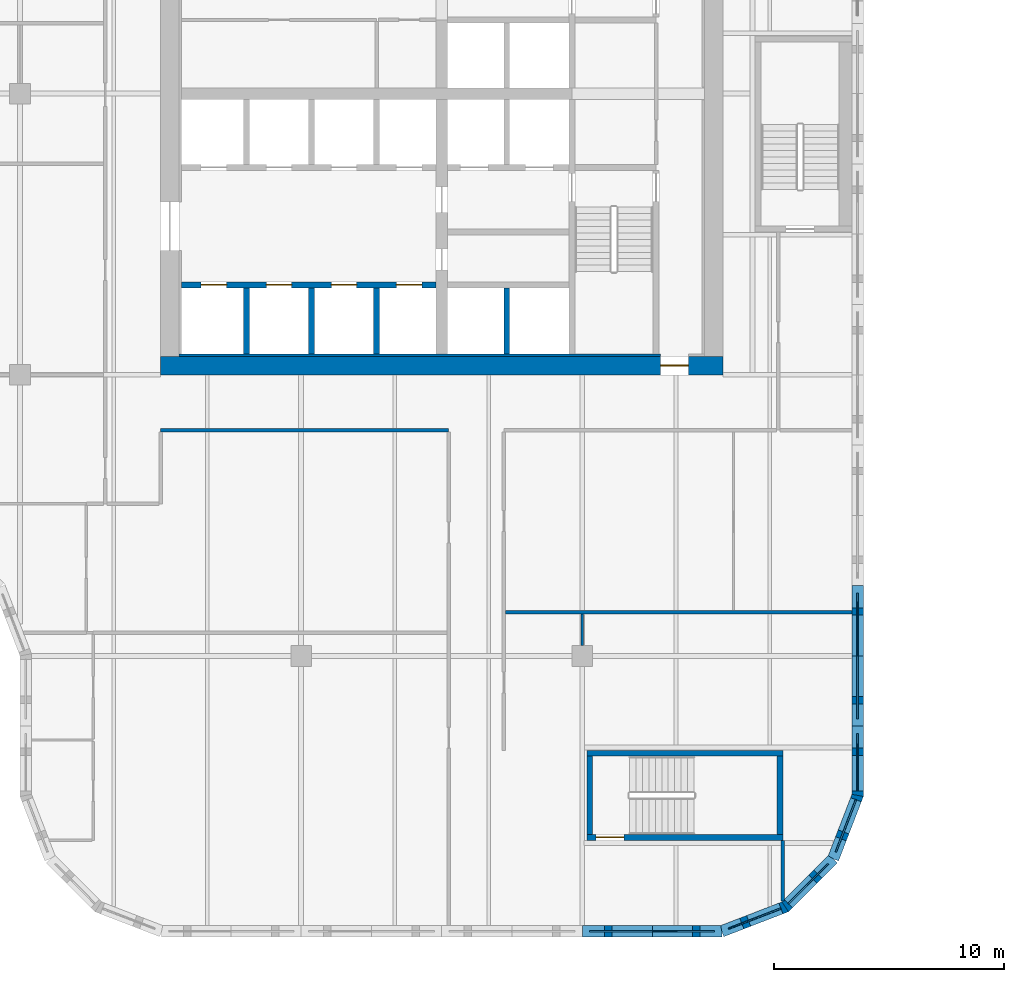
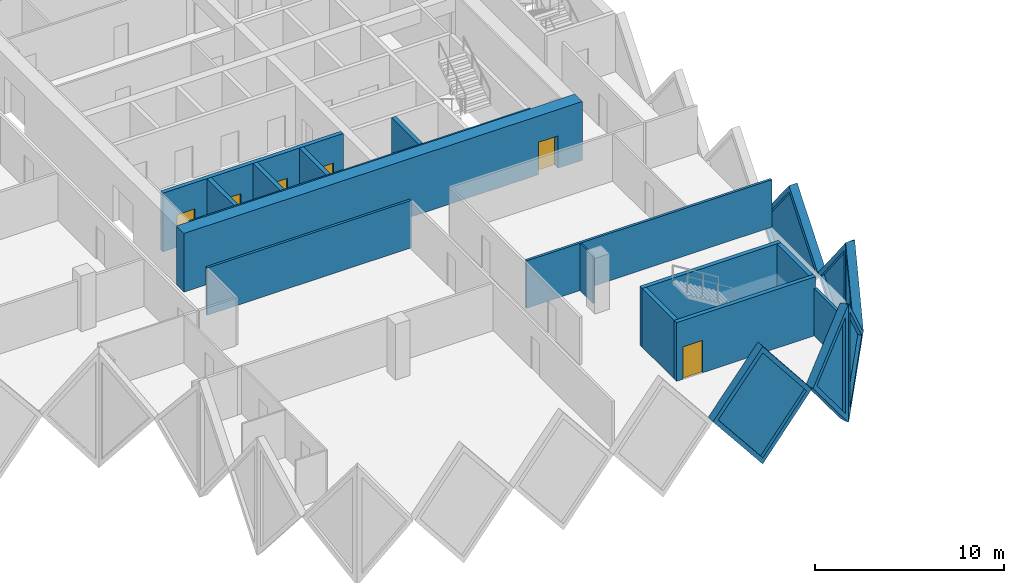
# One storey, part 6 of 18: 21 walls, 6 doors, 6 plates, 12 openings.
"""IFC4 building model written with IfcOpenShell, lengths in metres."""

from ifc_helpers import new_model, si_unit, direction, frame, frame_2d, origin, place, context, subcontext, project, spatial, polyline, rectangle, outline, extrude, faceted_brep, source, transform, mapped, material, layer, layer_set, type_object, element, fill, save


model = new_model("IFC4")

# Units and contexts
model_context = context("Model", 3, precision=1e-05, world=origin(), true_north=direction((0.0, 1.0)))
body_context = subcontext(model_context, "Body", "Model", "MODEL_VIEW")
ifc_project = project(units=[si_unit("LENGTHUNIT", "METRE"), si_unit("AREAUNIT", "SQUARE_METRE"), si_unit("VOLUMEUNIT", "CUBIC_METRE"), si_unit("PLANEANGLEUNIT", "RADIAN"), si_unit("MASSUNIT", "GRAM", prefix="KILO")], contexts=[model_context])

# Site, building, storey
site_placement = place(None, origin())
site = spatial("IfcSite", under=ifc_project, at=site_placement, CompositionType="ELEMENT")
building_placement = place(site_placement, origin())
building = spatial("IfcBuilding", under=site, at=building_placement, Name="Tessera Gate Towers", CompositionType="ELEMENT")
storey_placement = place(building_placement, frame((0.0, 0.0, 95.199951171875)))
storey = spatial("IfcBuildingStorey", under=building, at=storey_placement, Name="L23", CompositionType="ELEMENT", Elevation=95.199951171875)

# Wall, openings, doors
ifc_material_1 = material(Name="Concrete C40/50", Category="concrete")
ifc_layer_1 = layer(ifc_material_1, 0.25)
ifc_layer_set_1 = layer_set([ifc_layer_1], Name="CORE ENCLOSURE WALL 250")
wall_type_1 = type_object("IfcWallType", Name="CORE ENCLOSURE WALL 250", PredefinedType="SOLIDWALL", material=ifc_layer_set_1)
wall_1_placement = place(storey_placement, frame((31.39990234375, 28.300048828125, 0.0), z_axis=(0.0, 0.0, 1.0), x_axis=(1.0, 0.0, 0.0)))
wall_1 = element("IfcWall", 1, at=wall_1_placement, inside=storey, type_object=wall_type_1, Name="L23 shaft and stair enclosure wall", PredefinedType="SOLIDWALL", context=body_context, shape_type="SweptSolid", body=[
    extrude(rectangle(XDim=11.050048828125, YDim=0.25, at=frame_2d((5.52490234375, 0.0))), origin(), (0.0, 0.0, 1.0), 3.800048828125),
])
shared_shape_1 = source(origin(), body_context, "Body", "SweptSolid", [
    extrude(rectangle(XDim=1.10009765625, YDim=2.10009765625, at=frame_2d((0.550048828125, 1.050048828125))), frame((0.0, 0.135009765625, 0.0), z_axis=(0.0, -1.0, 0.0), x_axis=(1.0, 0.0, 0.0)), (0.0, 0.0, 1.0), 0.27001953125),
])
opening_1_placement = place(wall_1_placement, frame((0.862548828125, 0.0, 0.0)))
opening_1 = element("IfcOpeningElement", 2, at=opening_1_placement, cuts=wall_1, Name="Opening LD-LR1", PredefinedType="OPENING", context=body_context, shape_type="MappedRepresentation", body=[
    mapped(shared_shape_1, transform((0.0, 0.0, 0.0), scale=1.0)),
])
opening_2_placement = place(wall_1_placement, frame((3.6875, 0.0, 0.0)))
opening_2 = element("IfcOpeningElement", 3, at=opening_2_placement, cuts=wall_1, Name="Opening LD-LR2", PredefinedType="OPENING", context=body_context, shape_type="MappedRepresentation", body=[
    mapped(shared_shape_1, transform((0.0, 0.0, 0.0), scale=1.0)),
])
opening_3_placement = place(wall_1_placement, frame((6.512451171875, 0.0, 0.0)))
opening_3 = element("IfcOpeningElement", 4, at=opening_3_placement, cuts=wall_1, Name="Opening LD-LR3", PredefinedType="OPENING", context=body_context, shape_type="MappedRepresentation", body=[
    mapped(shared_shape_1, transform((0.0, 0.0, 0.0), scale=1.0)),
])
opening_4_placement = place(wall_1_placement, frame((9.33740234375, 0.0, 0.0)))
opening_4 = element("IfcOpeningElement", 5, at=opening_4_placement, cuts=wall_1, Name="Opening LD-LR4", PredefinedType="OPENING", context=body_context, shape_type="MappedRepresentation", body=[
    mapped(shared_shape_1, transform((0.0, 0.0, 0.0), scale=1.0)),
])
ifc_material_2 = material(Name="Stainless steel", Category="steel")
door_type_1 = type_object("IfcDoorType", Name="CORE DOOR LD 1100x2100", OperationType="DOUBLE_DOOR_SLIDING", PredefinedType="DOOR", material=ifc_material_2)
shared_shape_2 = source(origin(), body_context, "Body", "SweptSolid", [
    extrude(rectangle(XDim=1.10009765625, YDim=2.10009765625, at=frame_2d((0.550048828125, 1.050048828125))), frame((0.0, 0.02490234375, 0.0), z_axis=(0.0, -1.0, 0.0), x_axis=(1.0, 0.0, 0.0)), (0.0, 0.0, 1.0), 0.050048828125),
])
door_1_placement = place(opening_1_placement, origin())
door_1 = element("IfcDoor", 6, at=door_1_placement, inside=storey, type_object=door_type_1, Name="Landing door LR1 L23", OperationType="DOUBLE_DOOR_SLIDING", OverallHeight=2.10009765625, OverallWidth=1.10009765625, PredefinedType="DOOR", context=body_context, shape_type="MappedRepresentation", body=[
    mapped(shared_shape_2, transform((0.0, 0.0, 0.0), scale=1.0)),
])
fill(opening_1, door_1)
door_2_placement = place(opening_2_placement, origin())
door_2 = element("IfcDoor", 7, at=door_2_placement, inside=storey, type_object=door_type_1, Name="Landing door LR2 L23", OperationType="DOUBLE_DOOR_SLIDING", OverallHeight=2.10009765625, OverallWidth=1.10009765625, PredefinedType="DOOR", context=body_context, shape_type="MappedRepresentation", body=[
    mapped(shared_shape_2, transform((0.0, 0.0, 0.0), scale=1.0)),
])
fill(opening_2, door_2)
door_3_placement = place(opening_3_placement, origin())
door_3 = element("IfcDoor", 8, at=door_3_placement, inside=storey, type_object=door_type_1, Name="Landing door LR3 L23", OperationType="DOUBLE_DOOR_SLIDING", OverallHeight=2.10009765625, OverallWidth=1.10009765625, PredefinedType="DOOR", context=body_context, shape_type="MappedRepresentation", body=[
    mapped(shared_shape_2, transform((0.0, 0.0, 0.0), scale=1.0)),
])
fill(opening_3, door_3)
door_4_placement = place(opening_4_placement, origin())
door_4 = element("IfcDoor", 9, at=door_4_placement, inside=storey, type_object=door_type_1, Name="Landing door LR4 L23", OperationType="DOUBLE_DOOR_SLIDING", OverallHeight=2.10009765625, OverallWidth=1.10009765625, PredefinedType="DOOR", context=body_context, shape_type="MappedRepresentation", body=[
    mapped(shared_shape_2, transform((0.0, 0.0, 0.0), scale=1.0)),
])
fill(opening_4, door_4)

# Walls
for number, where, z_axis, x_axis, name in (
    (10, (34.22509765625, 25.300048828125, 0.0), (0.0, 0.0, 1.0), (0.0, 1.0, 0.0), "L23 shaft and stair enclosure wall"),
    (11, (37.050048828125, 25.300048828125, 0.0), (0.0, 0.0, 1.0), (0.0, 1.0, 0.0), "L23 shaft and stair enclosure wall"),
    (12, (39.875, 25.300048828125, 0.0), (0.0, 0.0, 1.0), (0.0, 1.0, 0.0), "L23 shaft and stair enclosure wall"),
    (13, (45.52490234375, 25.300048828125, 0.0), (0.0, 0.0, 1.0), (0.0, 1.0, 0.0), "L23 shaft and stair enclosure wall"),
):
    element("IfcWall", number, at=place(storey_placement, frame(where, z_axis=z_axis, x_axis=x_axis)), inside=storey, type_object=wall_type_1, Name=name, PredefinedType="SOLIDWALL", context=body_context, shape_type="SweptSolid", body=[
        extrude(rectangle(XDim=2.875, YDim=0.25, at=frame_2d((1.4375, 0.0))), origin(), (0.0, 0.0, 1.0), 3.800048828125),
    ])

# Wall, opening, door
wall_2_placement = place(storey_placement, frame((57.5, 4.324951171875, 0.0), z_axis=(0.0, 0.0, 1.0), x_axis=(-1.0, 0.0, 0.0)))
wall_2 = element("IfcWall", 14, at=wall_2_placement, inside=storey, type_object=wall_type_1, Name="L23 ST4 enclosure wall", PredefinedType="SOLIDWALL", context=body_context, shape_type="SweptSolid", body=[
    extrude(rectangle(XDim=8.5, YDim=0.25, at=frame_2d((4.25, 0.0))), origin(), (0.0, 0.0, 1.0), 3.800048828125),
])
shared_shape_3 = source(origin(), body_context, "Body", "SweptSolid", [
    extrude(rectangle(XDim=1.199951171875, YDim=2.10009765625, at=frame_2d((0.60009765625, 1.050048828125))), frame((0.0, 0.135009765625, 0.0), z_axis=(0.0, -1.0, 0.0), x_axis=(1.0, 0.0, 0.0)), (0.0, 0.0, 1.0), 0.27001953125),
])
opening_5_placement = place(wall_2_placement, frame((6.89990234375, 0.0, 0.0)))
opening_5 = element("IfcOpeningElement", 15, at=opening_5_placement, cuts=wall_2, Name="Opening SD-ST4-1", PredefinedType="OPENING", context=body_context, shape_type="MappedRepresentation", body=[
    mapped(shared_shape_3, transform((0.0, 0.0, 0.0), scale=1.0)),
])
ifc_material_3 = material(Name="Hollow steel fire door", Category="steel")
door_type_2 = type_object("IfcDoorType", Name="CORE DOOR SD 1200x2100", OperationType="NOTDEFINED", PredefinedType="DOOR", material=ifc_material_3)
shared_shape_4 = source(origin(), body_context, "Body", "SweptSolid", [
    extrude(rectangle(XDim=1.199951171875, YDim=2.10009765625, at=frame_2d((0.60009765625, 1.050048828125))), frame((0.0, 0.02490234375, 0.0), z_axis=(0.0, -1.0, 0.0), x_axis=(1.0, 0.0, 0.0)), (0.0, 0.0, 1.0), 0.050048828125),
])
door_5_placement = place(opening_5_placement, origin())
door_5 = element("IfcDoor", 16, at=door_5_placement, inside=storey, type_object=door_type_2, Name="Stair door", OperationType="SINGLE_SWING_RIGHT", OverallHeight=2.10009765625, OverallWidth=1.199951171875, PredefinedType="DOOR", context=body_context, shape_type="MappedRepresentation", body=[
    mapped(shared_shape_4, transform((0.0, 0.0, 0.0), scale=1.0)),
])
fill(opening_5, door_5)

# Walls
wall_3_placement = place(storey_placement, frame((49.125, 4.449951171875, 0.0), z_axis=(0.0, 0.0, 1.0), x_axis=(0.0, 1.0, 0.0)))
element("IfcWall", 17, at=wall_3_placement, inside=storey, type_object=wall_type_1, Name="L23 ST4 enclosure wall", PredefinedType="SOLIDWALL", context=body_context, shape_type="SweptSolid", body=[
    extrude(rectangle(XDim=3.400146484375, YDim=0.25, at=frame_2d((1.7001953125, 0.0))), origin(), (0.0, 0.0, 1.0), 3.800048828125),
])
wall_4_placement = place(storey_placement, frame((49.0, 7.97509765625, 0.0), z_axis=(0.0, 0.0, 1.0), x_axis=(1.0, 0.0, 0.0)))
element("IfcWall", 18, at=wall_4_placement, inside=storey, type_object=wall_type_1, Name="L23 ST4 enclosure wall", PredefinedType="SOLIDWALL", context=body_context, shape_type="SweptSolid", body=[
    extrude(rectangle(XDim=8.5, YDim=0.25, at=frame_2d((4.25, 0.0))), origin(), (0.0, 0.0, 1.0), 3.800048828125),
])
wall_5_placement = place(storey_placement, frame((57.375, 7.85009765625, 0.0), z_axis=(0.0, 0.0, 1.0), x_axis=(0.0, -1.0, 0.0)))
element("IfcWall", 19, at=wall_5_placement, inside=storey, type_object=wall_type_1, Name="L23 ST4 enclosure wall", PredefinedType="SOLIDWALL", context=body_context, shape_type="SweptSolid", body=[
    extrude(rectangle(XDim=3.400146484375, YDim=0.25, at=frame_2d((1.7001953125, 0.0))), origin(), (0.0, 0.0, 1.0), 3.800048828125),
])

# Wall, opening, door
ifc_material_4 = material(Name="Concrete C60/75", Category="concrete")
ifc_layer_2 = layer(ifc_material_4, 0.800048828125)
ifc_layer_set_2 = layer_set([ifc_layer_2], Name="CORE SHEAR WALL 800 C60/75")
wall_type_2 = type_object("IfcWallType", Name="CORE SHEAR WALL 800 C60/75", PredefinedType="SHEAR", material=ifc_layer_set_2)
wall_6_placement = place(storey_placement, frame((54.89990234375, 24.800048828125, 0.0), z_axis=(0.0, 0.0, 1.0), x_axis=(-1.0, 0.0, 0.0)))
wall_6 = element("IfcWall", 20, at=wall_6_placement, inside=storey, type_object=wall_type_2, Name="Core wall S L23", PredefinedType="SHEAR", context=body_context, shape_type="SweptSolid", body=[
    extrude(rectangle(XDim=24.39990234375, YDim=0.800048828125, at=frame_2d((12.199951171875, 0.0))), origin(), (0.0, 0.0, 1.0), 3.800048828125),
])
shared_shape_5 = source(origin(), body_context, "Body", "SweptSolid", [
    extrude(rectangle(XDim=1.199951171875, YDim=2.10009765625, at=frame_2d((0.60009765625, 1.050048828125))), frame((0.0, 0.409912109375, 0.0), z_axis=(0.0, -1.0, 0.0), x_axis=(1.0, 0.0, 0.0)), (0.0, 0.0, 1.0), 0.820068359375),
])
opening_6_placement = place(wall_6_placement, frame((1.5, 0.0, 0.0)))
opening_6 = element("IfcOpeningElement", 21, at=opening_6_placement, cuts=wall_6, Name="Opening ED-T1-15-01", PredefinedType="OPENING", context=body_context, shape_type="MappedRepresentation", body=[
    mapped(shared_shape_5, transform((0.0, 0.0, 0.0), scale=1.0)),
])
ifc_material_5 = material(Name="Hollow steel fire door", Category="steel")
door_type_3 = type_object("IfcDoorType", Name="CORE DOOR ED 1200x2100", OperationType="NOTDEFINED", PredefinedType="DOOR", material=ifc_material_5)
door_6_placement = place(opening_6_placement, origin())
door_6 = element("IfcDoor", 22, at=door_6_placement, inside=storey, type_object=door_type_3, Name="Core exit door", OperationType="SINGLE_SWING_LEFT", OverallHeight=2.10009765625, OverallWidth=1.199951171875, PredefinedType="DOOR", context=body_context, shape_type="MappedRepresentation", body=[
    mapped(shared_shape_4, transform((0.0, 0.0, 0.0), scale=1.0)),
])
fill(opening_6, door_6)

# Walls
ifc_material_6 = material(Name="Concrete C60/75", Category="concrete")
ifc_layer_3 = layer(ifc_material_6, 0.10009765625)
ifc_layer_set_3 = layer_set([ifc_layer_3], Name="CORE WALL THICKENING 100")
wall_type_3 = type_object("IfcWallType", Name="CORE WALL THICKENING 100", PredefinedType="SOLIDWALL", material=ifc_layer_set_3)
wall_7_placement = place(storey_placement, frame((31.300048828125, 25.25, 0.0), z_axis=(0.0, 0.0, 1.0), x_axis=(1.0, 0.0, 0.0)))
element("IfcWall", 23, at=wall_7_placement, inside=storey, type_object=wall_type_3, Name="Core wall thickening S L23", PredefinedType="SOLIDWALL", context=body_context, shape_type="SweptSolid", body=[
    extrude(rectangle(XDim=20.89990234375, YDim=0.10009765625, at=frame_2d((10.449951171875, 0.0))), origin(), (0.0, 0.0, 1.0), 3.800048828125),
])
ifc_material_7 = material(Name="Gypsum board on steel studs, mineral wool", Category="steel")
ifc_layer_4 = layer(ifc_material_7, 0.14990234375)
ifc_layer_set_4 = layer_set([ifc_layer_4], Name="CORRIDOR WALL 150")
wall_type_4 = type_object("IfcWallType", Name="CORRIDOR WALL 150", PredefinedType="PARTITIONING", material=ifc_layer_set_4)
wall_8_placement = place(storey_placement, frame((57.5, 1.55908203125, 0.0), z_axis=(0.0, 0.0, 1.0), x_axis=(0.0, 1.0, 0.0)))
element("IfcWall", 24, at=wall_8_placement, inside=storey, type_object=wall_type_4, Name="T1-L23-PW-002", PredefinedType="PARTITIONING", context=body_context, shape_type="SweptSolid", body=[
    extrude(rectangle(XDim=2.640869140625, YDim=0.14990234375, at=frame_2d((1.3203125, 0.0))), origin(), (0.0, 0.0, 1.0), 3.067138671875),
])
wall_9_placement = place(storey_placement, frame((30.5, 22.0, 0.0), z_axis=(0.0, 0.0, 1.0), x_axis=(1.0, 0.0, 0.0)))
element("IfcWall", 25, at=wall_9_placement, inside=storey, type_object=wall_type_4, Name="T1-L23-PW-022", PredefinedType="PARTITIONING", context=body_context, shape_type="SweptSolid", body=[
    extrude(rectangle(XDim=12.5, YDim=0.14990234375, at=frame_2d((6.25, 0.0))), origin(), (0.0, 0.0, 1.0), 3.067138671875),
])
ifc_material_8 = material(Name="Gypsum board on steel studs", Category="steel")
ifc_layer_5 = layer(ifc_material_8, 0.10009765625)
ifc_layer_set_5 = layer_set([ifc_layer_5], Name="PARTITION 100")
wall_type_5 = type_object("IfcWallType", Name="PARTITION 100", PredefinedType="PARTITIONING", material=ifc_layer_set_5)
wall_10_placement = place(storey_placement, frame((48.800048828125, 12.64990234375, 0.0), z_axis=(0.0, 0.0, 1.0), x_axis=(0.0, 1.0, 0.0)))
element("IfcWall", 26, at=wall_10_placement, inside=storey, type_object=wall_type_5, Name="T1-L23-PW-008", PredefinedType="PARTITIONING", context=body_context, shape_type="SweptSolid", body=[
    extrude(rectangle(XDim=1.375, YDim=0.10009765625, at=frame_2d((0.6875, 0.0))), origin(), (0.0, 0.0, 1.0), 3.067138671875),
])
ifc_material_9 = material(Name="Gypsum board on steel studs, mineral wool", Category="steel")
ifc_layer_6 = layer(ifc_material_9, 0.14990234375)
ifc_layer_set_6 = layer_set([ifc_layer_6], Name="TENANCY WALL 150")
wall_type_6 = type_object("IfcWallType", Name="TENANCY WALL 150", PredefinedType="PARTITIONING", material=ifc_layer_set_6)
wall_11_placement = place(storey_placement, frame((45.47607421875, 14.10009765625, 0.0), z_axis=(0.0, 0.0, 1.0), x_axis=(1.0, 0.0, 0.0)))
element("IfcWall", 27, at=wall_11_placement, inside=storey, type_object=wall_type_6, Name="T1-L23-PW-013", PredefinedType="PARTITIONING", context=body_context, shape_type="SweptSolid", body=[
    extrude(rectangle(XDim=15.02392578125, YDim=0.14990234375, at=frame_2d((7.511962890625, 0.0))), origin(), (0.0, 0.0, 1.0), 3.067138671875),
])

# Wall, opening, plate
ifc_material_10 = material(Name="Precast concrete C60/75 white", Category="concrete")
ifc_layer_7 = layer(ifc_material_10, 0.5)
ifc_layer_set_7 = layer_set([ifc_layer_7], Name="TS1 tessera")
wall_type_7 = type_object("IfcWallType", Name="TS1 tessera", PredefinedType="SOLIDWALL", material=ifc_layer_set_7)
shared_shape_6 = source(origin(), body_context, "Body", "SweptSolid", [
    extrude(outline(polyline([(3.050048828125, 0.0), (6.10009765625, 3.800048828125), (3.050048828125, 7.60009765625), (0.0, 3.800048828125), (3.050048828125, 0.0)])), frame((0.0, 0.25, 0.0), z_axis=(0.0, -1.0, 0.0), x_axis=(1.0, 0.0, 0.0)), (0.0, 0.0, 1.0), 0.5),
])
wall_12_placement = place(storey_placement, frame((60.75, 9.14990234375, -3.800048828125), z_axis=(0.0, 0.0, 1.0), x_axis=(0.0, 1.0, 0.0)))
wall_12 = element("IfcWall", 28, at=wall_12_placement, inside=storey, type_object=wall_type_7, Name="Precast tessera T1 TS1-0372", PredefinedType="SOLIDWALL", context=body_context, shape_type="MappedRepresentation", body=[
    mapped(shared_shape_6, transform((0.0, 0.0, 0.0), scale=1.0)),
])
shared_shape_7 = source(origin(), body_context, "Body", "SweptSolid", [
    extrude(outline(polyline([(3.050048828125, 0.3994140625), (5.779541015625, 3.800048828125), (3.050048828125, 7.20068359375), (0.320556640625, 3.800048828125), (3.050048828125, 0.3994140625)])), frame((0.0, 0.260009765625, 0.0), z_axis=(0.0, -1.0, 0.0), x_axis=(1.0, 0.0, 0.0)), (0.0, 0.0, 1.0), 0.52001953125),
])
opening_7_placement = place(wall_12_placement, origin())
opening_7 = element("IfcOpeningElement", 29, at=opening_7_placement, cuts=wall_12, Name="Opening T1-PL2-0760", PredefinedType="OPENING", context=body_context, shape_type="MappedRepresentation", body=[
    mapped(shared_shape_7, transform((0.0, 0.0, 0.0), scale=1.0)),
])
ifc_material_11 = material(Name="Low-e laminated glass", Category="glass")
ifc_layer_8 = layer(ifc_material_11, 0.06005859375)
ifc_layer_set_8 = layer_set([ifc_layer_8], Name="PL2 rhombic pane")
plate_type = type_object("IfcPlateType", Name="PL2 rhombic pane", PredefinedType="SHEET", material=ifc_layer_set_8)
shared_shape_8 = source(origin(), body_context, "Body", "SweptSolid", [
    extrude(outline(polyline([(3.050048828125, 0.3994140625), (5.779541015625, 3.800048828125), (3.050048828125, 7.20068359375), (0.320556640625, 3.800048828125), (3.050048828125, 0.3994140625)])), frame((0.0, 0.030029296875, 0.0), z_axis=(0.0, -1.0, 0.0), x_axis=(1.0, 0.0, 0.0)), (0.0, 0.0, 1.0), 0.06005859375),
])
plate_1_placement = place(opening_7_placement, origin())
plate_1 = element("IfcPlate", 30, at=plate_1_placement, inside=storey, type_object=plate_type, Name="Glass pane T1 PL2-0760", PredefinedType="SHEET", context=body_context, shape_type="MappedRepresentation", body=[
    mapped(shared_shape_8, transform((0.0, 0.0, 0.0), scale=1.0)),
])
fill(opening_7, plate_1)

shared_shape_9 = source(origin(), body_context, "Body", "Brep", [
    faceted_brep([(3.050048828125, -0.25, 0.0), (6.053466796875, -0.25, 3.800048828125), (3.050048828125, -0.25, 7.60009765625), (0.0, -0.25, 3.800048828125), (0.0, 0.25, 3.800048828125), (3.050048828125, 0.25, 7.60009765625), (6.0068359375, 0.25, 3.85888671875), (6.0068359375, 0.25, 3.7412109375), (3.050048828125, 0.25, 0.0), (6.053466796875, 0.0, 3.800048828125)], [[[0, 1, 2, 3]], [[4, 5, 6, 7, 8]], [[8, 7, 9, 1, 0]], [[6, 5, 2, 1, 9]], [[5, 4, 3, 2]], [[4, 8, 0, 3]], [[9, 7, 6]]]),
])
wall_13_placement = place(storey_placement, frame((48.800048828125, 0.25, -3.800048828125), z_axis=(0.0, 0.0, 1.0), x_axis=(1.0, 0.0, 0.0)))
wall_13 = element("IfcWall", 31, at=wall_13_placement, inside=storey, type_object=wall_type_7, Name="Precast tessera T1 TS1-0371", PredefinedType="SOLIDWALL", context=body_context, shape_type="MappedRepresentation", body=[
    mapped(shared_shape_9, transform((0.0, 0.0, 0.0), scale=1.0)),
])
shared_shape_10 = source(origin(), body_context, "Body", "SweptSolid", [
    extrude(outline(polyline([(3.048583984375, 0.4013671875), (5.73486328125, 3.800048828125), (3.048583984375, 7.19873046875), (0.320556640625, 3.800048828125), (3.048583984375, 0.4013671875)])), frame((0.0, 0.260009765625, 0.0), z_axis=(0.0, -1.0, 0.0), x_axis=(1.0, 0.0, 0.0)), (0.0, 0.0, 1.0), 0.52001953125),
])
opening_8_placement = place(wall_13_placement, origin())
opening_8 = element("IfcOpeningElement", 32, at=opening_8_placement, cuts=wall_13, Name="Opening T1-PL2-0755", PredefinedType="OPENING", context=body_context, shape_type="MappedRepresentation", body=[
    mapped(shared_shape_10, transform((0.0, 0.0, 0.0), scale=1.0)),
])
shared_shape_11 = source(origin(), body_context, "Body", "SweptSolid", [
    extrude(outline(polyline([(3.048583984375, 0.4013671875), (5.73486328125, 3.800048828125), (3.048583984375, 7.19873046875), (0.320556640625, 3.800048828125), (3.048583984375, 0.4013671875)])), frame((0.0, 0.030029296875, 0.0), z_axis=(0.0, -1.0, 0.0), x_axis=(1.0, 0.0, 0.0)), (0.0, 0.0, 1.0), 0.06005859375),
])
plate_2_placement = place(opening_8_placement, origin())
plate_2 = element("IfcPlate", 33, at=plate_2_placement, inside=storey, type_object=plate_type, Name="Glass pane T1 PL2-0755", PredefinedType="SHEET", context=body_context, shape_type="MappedRepresentation", body=[
    mapped(shared_shape_11, transform((0.0, 0.0, 0.0), scale=1.0)),
])
fill(opening_8, plate_2)

ifc_material_12 = material(Name="Precast concrete C60/75 white", Category="concrete")
ifc_layer_9 = layer(ifc_material_12, 0.5)
ifc_layer_set_9 = layer_set([ifc_layer_9], Name="TS3 corner tessera")
wall_type_8 = type_object("IfcWallType", Name="TS3 corner tessera", PredefinedType="SOLIDWALL", material=ifc_layer_set_9)
shared_shape_12 = source(origin(), body_context, "Body", "Brep", [
    faceted_brep([(2.950439453125, -0.25, 0.0), (3.00341796875, -0.25, 0.068359375), (3.00341796875, -0.25, 7.53173828125), (2.950439453125, -0.25, 7.60009765625), (0.0, -0.25, 3.800048828125), (0.046630859375, 0.25, 3.860107421875), (2.897705078125, 0.25, 7.531982421875), (2.897705078125, 0.25, 0.068115234375), (0.046630859375, 0.25, 3.739990234375), (2.950439453125, 0.00048828125, 0.0), (2.950439453125, 0.00048828125, 7.60009765625), (0.0, 0.0, 3.800048828125)], [[[0, 1, 2, 3, 4]], [[5, 6, 7, 8]], [[1, 0, 9]], [[10, 3, 2]], [[6, 5, 11, 4, 3, 10]], [[8, 7, 9, 0, 4, 11]], [[8, 11, 5]], [[1, 9, 7, 6, 10, 2]]]),
])
wall_14_placement = place(storey_placement, frame((54.853515625, 0.25, -3.800048828125), z_axis=(0.0, 0.0, 1.0), x_axis=(0.932970071518, 0.359953949349, 0.0)))
wall_14 = element("IfcWall", 34, at=wall_14_placement, inside=storey, type_object=wall_type_8, Name="Precast corner tessera T1 TS3-0505", PredefinedType="SOLIDWALL", context=body_context, shape_type="MappedRepresentation", body=[
    mapped(shared_shape_12, transform((0.0, 0.0, 0.0), scale=1.0)),
])
shared_shape_13 = source(origin(), body_context, "Body", "SweptSolid", [
    extrude(outline(polyline([(2.75048828125, 6.934814453125), (0.31640625, 3.800048828125), (2.75048828125, 0.665283203125), (2.75048828125, 6.934814453125)])), frame((0.0, 0.260009765625, 0.0), z_axis=(0.0, -1.0, 0.0), x_axis=(1.0, 0.0, 0.0)), (0.0, 0.0, 1.0), 0.52001953125),
])
opening_9_placement = place(wall_14_placement, origin())
opening_9 = element("IfcOpeningElement", 35, at=opening_9_placement, cuts=wall_14, Name="Opening T1-PL2-0756", PredefinedType="OPENING", context=body_context, shape_type="MappedRepresentation", body=[
    mapped(shared_shape_13, transform((0.0, 0.0, 0.0), scale=1.0)),
])
shared_shape_14 = source(origin(), body_context, "Body", "SweptSolid", [
    extrude(outline(polyline([(2.75048828125, 6.934814453125), (0.31640625, 3.800048828125), (2.75048828125, 0.665283203125), (2.75048828125, 6.934814453125)])), frame((0.0, 0.030029296875, 0.0), z_axis=(0.0, -1.0, 0.0), x_axis=(1.0, 0.0, 0.0)), (0.0, 0.0, 1.0), 0.06005859375),
])
plate_3_placement = place(opening_9_placement, origin())
plate_3 = element("IfcPlate", 36, at=plate_3_placement, inside=storey, type_object=plate_type, Name="Glass pane T1 PL2-0756", PredefinedType="SHEET", context=body_context, shape_type="MappedRepresentation", body=[
    mapped(shared_shape_14, transform((0.0, 0.0, 0.0), scale=1.0)),
])
fill(opening_9, plate_3)

shared_shape_15 = source(origin(), body_context, "Body", "Brep", [
    faceted_brep([(0.052978515625, -0.25, 0.0), (2.9970703125, -0.25, 3.800048828125), (0.052978515625, -0.25, 7.60009765625), (0.0, -0.25, 7.531982421875), (0.0, -0.25, 0.068115234375), (0.10595703125, 0.25, 7.53173828125), (2.944091796875, 0.25, 3.8681640625), (2.944091796875, 0.25, 3.73193359375), (0.10595703125, 0.25, 0.068359375), (2.9970703125, 0.000244140625, 3.800048828125), (0.052978515625, 0.0, 0.0), (0.052978515625, 0.0, 7.60009765625)], [[[0, 1, 2, 3, 4]], [[5, 6, 7, 8]], [[8, 7, 9, 1, 0, 10]], [[6, 5, 11, 2, 1, 9]], [[3, 2, 11]], [[10, 0, 4]], [[8, 10, 4, 3, 11, 5]], [[9, 7, 6]]]),
])
wall_15_placement = place(storey_placement, frame((57.56884765625, 1.2744140625, -3.800048828125), z_axis=(0.0, 0.0, 1.0), x_axis=(0.707066050402, 0.707147509625, 0.0)))
wall_15 = element("IfcWall", 37, at=wall_15_placement, inside=storey, type_object=wall_type_8, Name="Precast corner tessera T1 TS3-0506", PredefinedType="SOLIDWALL", context=body_context, shape_type="MappedRepresentation", body=[
    mapped(shared_shape_15, transform((0.0, 0.0, 0.0), scale=1.0)),
])
shared_shape_16 = source(origin(), body_context, "Body", "SweptSolid", [
    extrude(outline(polyline([(0.2529296875, 0.66650390625), (2.680908203125, 3.800048828125), (0.2529296875, 6.933837890625), (0.2529296875, 0.66650390625)])), frame((0.0, 0.260009765625, 0.0), z_axis=(0.0, -1.0, 0.0), x_axis=(1.0, 0.0, 0.0)), (0.0, 0.0, 1.0), 0.52001953125),
])
opening_10_placement = place(wall_15_placement, origin())
opening_10 = element("IfcOpeningElement", 38, at=opening_10_placement, cuts=wall_15, Name="Opening T1-PL2-0757", PredefinedType="OPENING", context=body_context, shape_type="MappedRepresentation", body=[
    mapped(shared_shape_16, transform((0.0, 0.0, 0.0), scale=1.0)),
])
shared_shape_17 = source(origin(), body_context, "Body", "SweptSolid", [
    extrude(outline(polyline([(0.2529296875, 0.66650390625), (2.680908203125, 3.800048828125), (0.2529296875, 6.933837890625), (0.2529296875, 0.66650390625)])), frame((0.0, 0.030029296875, 0.0), z_axis=(0.0, -1.0, 0.0), x_axis=(1.0, 0.0, 0.0)), (0.0, 0.0, 1.0), 0.06005859375),
])
plate_4_placement = place(opening_10_placement, origin())
plate_4 = element("IfcPlate", 39, at=plate_4_placement, inside=storey, type_object=plate_type, Name="Glass pane T1 PL2-0757", PredefinedType="SHEET", context=body_context, shape_type="MappedRepresentation", body=[
    mapped(shared_shape_17, transform((0.0, 0.0, 0.0), scale=1.0)),
])
fill(opening_10, plate_4)

shared_shape_18 = source(origin(), body_context, "Body", "Brep", [
    faceted_brep([(2.950439453125, -0.25, 0.0), (2.9970703125, -0.25, 0.05908203125), (2.9970703125, -0.25, 7.541015625), (2.950439453125, -0.25, 7.60009765625), (0.0, -0.25, 3.800048828125), (0.052978515625, 0.25, 3.8681640625), (2.904052734375, 0.25, 7.540283203125), (2.904052734375, 0.25, 0.059814453125), (0.052978515625, 0.25, 3.73193359375), (2.950439453125, 0.00048828125, 0.0), (2.950439453125, 0.00048828125, 7.60009765625), (0.0, 0.0, 3.800048828125)], [[[0, 1, 2, 3, 4]], [[5, 6, 7, 8]], [[1, 0, 9]], [[10, 3, 2]], [[6, 5, 11, 4, 3, 10]], [[8, 7, 9, 0, 4, 11]], [[8, 11, 5]], [[1, 9, 7, 6, 10, 2]]]),
])
wall_16_placement = place(storey_placement, frame((59.68798828125, 3.393798828125, -3.800048828125), z_axis=(0.0, 0.0, 1.0), x_axis=(0.359972353723, 0.932962970624, 0.0)))
wall_16 = element("IfcWall", 40, at=wall_16_placement, inside=storey, type_object=wall_type_8, Name="Precast corner tessera T1 TS3-0507", PredefinedType="SOLIDWALL", context=body_context, shape_type="MappedRepresentation", body=[
    mapped(shared_shape_18, transform((0.0, 0.0, 0.0), scale=1.0)),
])
opening_11_placement = place(wall_16_placement, origin())
opening_11 = element("IfcOpeningElement", 41, at=opening_11_placement, cuts=wall_16, Name="Opening T1-PL2-0758", PredefinedType="OPENING", context=body_context, shape_type="MappedRepresentation", body=[
    mapped(shared_shape_13, transform((0.0, 0.0, 0.0), scale=1.0)),
])
plate_5_placement = place(opening_11_placement, origin())
plate_5 = element("IfcPlate", 42, at=plate_5_placement, inside=storey, type_object=plate_type, Name="Glass pane T1 PL2-0758", PredefinedType="SHEET", context=body_context, shape_type="MappedRepresentation", body=[
    mapped(shared_shape_14, transform((0.0, 0.0, 0.0), scale=1.0)),
])
fill(opening_11, plate_5)

shared_shape_19 = source(origin(), body_context, "Body", "Brep", [
    faceted_brep([(0.046630859375, -0.25, 0.0), (3.050048828125, -0.25, 3.800048828125), (0.046630859375, -0.25, 7.60009765625), (0.0, -0.25, 7.5400390625), (0.0, -0.25, 0.06005859375), (0.09326171875, 0.25, 7.541259765625), (3.050048828125, 0.25, 3.800048828125), (0.09326171875, 0.25, 0.058837890625), (0.046630859375, 0.0, 0.0), (0.046630859375, 0.0, 7.60009765625)], [[[0, 1, 2, 3, 4]], [[5, 6, 7]], [[7, 6, 1, 0, 8]], [[6, 5, 9, 2, 1]], [[3, 2, 9]], [[8, 0, 4]], [[7, 8, 4, 3, 9, 5]]]),
])
wall_17_placement = place(storey_placement, frame((60.75, 6.099853515625, -3.800048828125), z_axis=(0.0, 0.0, 1.0), x_axis=(0.0, 1.0, 0.0)))
wall_17 = element("IfcWall", 43, at=wall_17_placement, inside=storey, type_object=wall_type_8, Name="Precast corner tessera T1 TS3-0508", PredefinedType="SOLIDWALL", context=body_context, shape_type="MappedRepresentation", body=[
    mapped(shared_shape_19, transform((0.0, 0.0, 0.0), scale=1.0)),
])
shared_shape_20 = source(origin(), body_context, "Body", "SweptSolid", [
    extrude(outline(polyline([(0.24658203125, 0.65625), (2.7314453125, 3.800048828125), (0.24658203125, 6.94384765625), (0.24658203125, 0.65625)])), frame((0.0, 0.260009765625, 0.0), z_axis=(0.0, -1.0, 0.0), x_axis=(1.0, 0.0, 0.0)), (0.0, 0.0, 1.0), 0.52001953125),
])
opening_12_placement = place(wall_17_placement, origin())
opening_12 = element("IfcOpeningElement", 44, at=opening_12_placement, cuts=wall_17, Name="Opening T1-PL2-0759", PredefinedType="OPENING", context=body_context, shape_type="MappedRepresentation", body=[
    mapped(shared_shape_20, transform((0.0, 0.0, 0.0), scale=1.0)),
])
shared_shape_21 = source(origin(), body_context, "Body", "SweptSolid", [
    extrude(outline(polyline([(0.24658203125, 0.65625), (2.7314453125, 3.800048828125), (0.24658203125, 6.94384765625), (0.24658203125, 0.65625)])), frame((0.0, 0.030029296875, 0.0), z_axis=(0.0, -1.0, 0.0), x_axis=(1.0, 0.0, 0.0)), (0.0, 0.0, 1.0), 0.06005859375),
])
plate_6_placement = place(opening_12_placement, origin())
plate_6 = element("IfcPlate", 45, at=plate_6_placement, inside=storey, type_object=plate_type, Name="Glass pane T1 PL2-0759", PredefinedType="SHEET", context=body_context, shape_type="MappedRepresentation", body=[
    mapped(shared_shape_21, transform((0.0, 0.0, 0.0), scale=1.0)),
])
fill(opening_12, plate_6)

save(model, "model.ifc")
